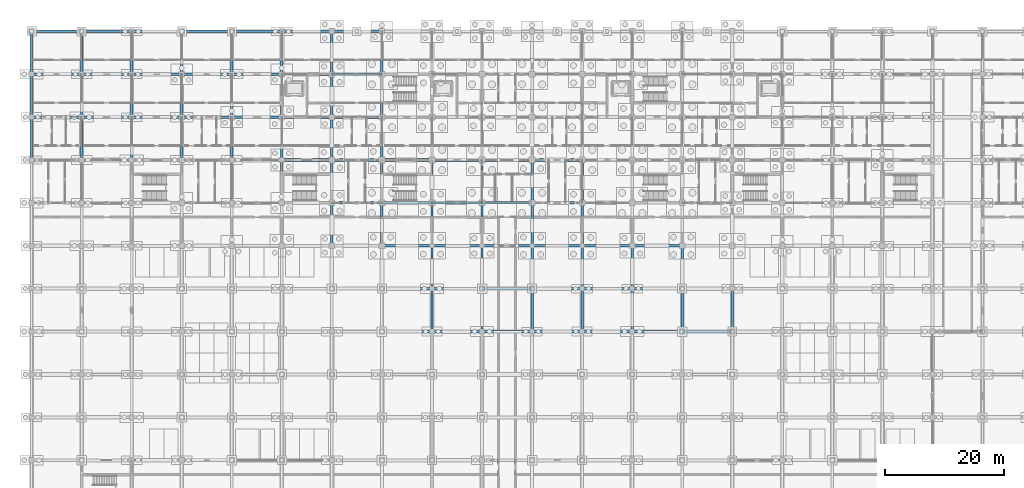
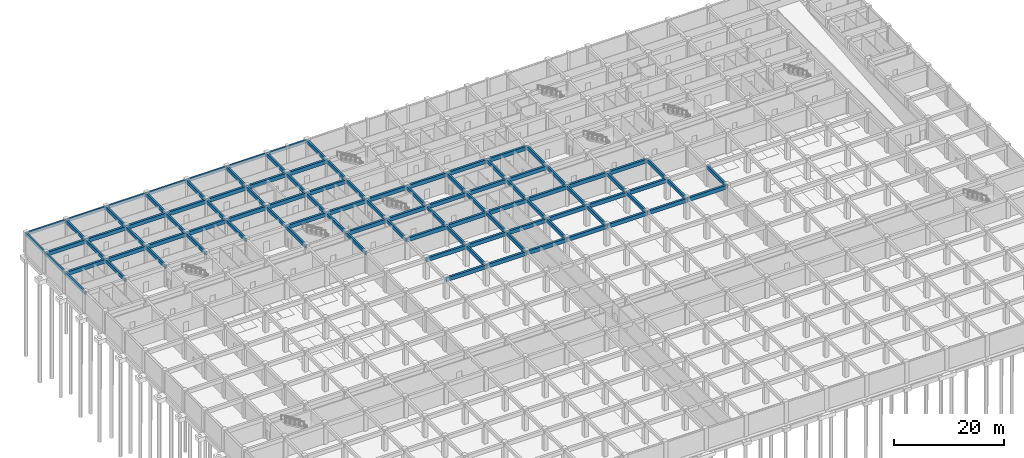
# One storey, part 22 of 85: 101 beams.
"""IFC4 building model written with IfcOpenShell, lengths in metres."""

from ifc_helpers import new_model, si_unit, direction, frame, origin, origin_2d, place, context, subcontext, project, spatial, rectangle, extrude, material, material_profile, profile_set, type_object, element, save


model = new_model("IFC4")

# Units and contexts
model_context = context("Model", 3, precision=1e-05, world=origin(), true_north=direction((0.0, 1.0)))
body_context = subcontext(model_context, "Body", "Model", "MODEL_VIEW")
ifc_project = project(units=[si_unit("LENGTHUNIT", "METRE"), si_unit("AREAUNIT", "SQUARE_METRE"), si_unit("VOLUMEUNIT", "CUBIC_METRE"), si_unit("PLANEANGLEUNIT", "RADIAN"), si_unit("MASSUNIT", "GRAM", prefix="KILO")], contexts=[model_context])

# Site, building, storey
site_placement = place(None, origin())
site = spatial("IfcSite", under=ifc_project, at=site_placement, CompositionType="ELEMENT")
building_placement = place(site_placement, origin())
building = spatial("IfcBuilding", under=site, at=building_placement, Name="Chengyuan Square Courthouse", CompositionType="ELEMENT")
storey_placement = place(building_placement, frame((0.0, 0.0, -10.199951171875)))
storey = spatial("IfcBuildingStorey", under=building, at=storey_placement, Name="B02", CompositionType="ELEMENT", Elevation=-10.199951171875)

# Beams
ifc_material = material(Name="Concrete C40", Category="concrete")
ifc_material_profile_1 = material_profile(ifc_material, rectangle(XDim=0.449951171875, YDim=0.85009765625, at=origin_2d()), Name="RC-BM-450x850")
ifc_profile_set_1 = profile_set([ifc_material_profile_1], Name="Concrete C40")
beam_type_1 = type_object("IfcBeamType", Name="BM-01", PredefinedType="USERDEFINED", material=ifc_profile_set_1)
beam_1_placement = place(storey_placement, frame((58.800048828125, 64.800048828125, 4.054931640625), z_axis=(1.0, 0.0, 0.0), x_axis=(0.0, 1.0, 0.0)))
element("IfcBeam", 1, at=beam_1_placement, inside=storey, type_object=beam_type_1, Name="Girder BM-B02-0188", ObjectType="GIRDER", PredefinedType="USERDEFINED", context=body_context, shape_type="SweptSolid", body=[
    extrude(rectangle(XDim=0.449951171875, YDim=0.85009765625, at=origin_2d()), origin(), (0.0, 0.0, 1.0), 8.39990234375),
])
beam_2_placement = place(storey_placement, frame((67.199951171875, 64.800048828125, 4.054931640625), z_axis=(1.0, 0.0, 0.0), x_axis=(0.0, 1.0, 0.0)))
element("IfcBeam", 2, at=beam_2_placement, inside=storey, type_object=beam_type_1, Name="Girder BM-B02-0189", ObjectType="GIRDER", PredefinedType="USERDEFINED", context=body_context, shape_type="SweptSolid", body=[
    extrude(rectangle(XDim=0.449951171875, YDim=0.85009765625, at=origin_2d()), origin(), (0.0, 0.0, 1.0), 8.400146484375),
])
for number, where, z_axis, x_axis, name in (
    (3, (75.60009765625, 64.800048828125, 4.054931640625), (1.0, 0.0, 0.0), (0.0, 1.0, 0.0), "Girder BM-B02-0190"),
    (4, (84.0, 64.800048828125, 4.054931640625), (1.0, 0.0, 0.0), (0.0, 1.0, 0.0), "Girder BM-B02-0191"),
):
    element("IfcBeam", number, at=place(storey_placement, frame(where, z_axis=z_axis, x_axis=x_axis)), inside=storey, type_object=beam_type_1, Name=name, ObjectType="GIRDER", PredefinedType="USERDEFINED", context=body_context, shape_type="SweptSolid", body=[
        extrude(rectangle(XDim=0.449951171875, YDim=0.85009765625, at=origin_2d()), origin(), (0.0, 0.0, 1.0), 8.39990234375),
    ])
beam_3_placement = place(storey_placement, frame((92.39990234375, 64.800048828125, 4.054931640625), z_axis=(1.0, 0.0, 0.0), x_axis=(0.0, 1.0, 0.0)))
element("IfcBeam", 5, at=beam_3_placement, inside=storey, type_object=beam_type_1, Name="Girder BM-B02-0192", ObjectType="GIRDER", PredefinedType="USERDEFINED", context=body_context, shape_type="SweptSolid", body=[
    extrude(rectangle(XDim=0.449951171875, YDim=0.85009765625, at=origin_2d()), origin(), (0.0, 0.0, 1.0), 8.400146484375),
])
beam_4_placement = place(storey_placement, frame((100.800048828125, 64.800048828125, 4.054931640625), z_axis=(1.0, 0.0, 0.0), x_axis=(0.0, 1.0, 0.0)))
element("IfcBeam", 6, at=beam_4_placement, inside=storey, type_object=beam_type_1, Name="Girder BM-B02-0193", ObjectType="GIRDER", PredefinedType="USERDEFINED", context=body_context, shape_type="SweptSolid", body=[
    extrude(rectangle(XDim=0.449951171875, YDim=0.85009765625, at=origin_2d()), origin(), (0.0, 0.0, 1.0), 8.39990234375),
])
beam_5_placement = place(storey_placement, frame((109.199951171875, 64.800048828125, 4.054931640625), z_axis=(1.0, 0.0, 0.0), x_axis=(0.0, 1.0, 0.0)))
element("IfcBeam", 7, at=beam_5_placement, inside=storey, type_object=beam_type_1, Name="Girder BM-B02-0194", ObjectType="GIRDER", PredefinedType="USERDEFINED", context=body_context, shape_type="SweptSolid", body=[
    extrude(rectangle(XDim=0.449951171875, YDim=0.85009765625, at=origin_2d()), origin(), (0.0, 0.0, 1.0), 8.400146484375),
])
beam_6_placement = place(storey_placement, frame((58.800048828125, 72.0, 4.054931640625), z_axis=(1.0, 0.0, 0.0), x_axis=(0.0, 1.0, 0.0)))
element("IfcBeam", 8, at=beam_6_placement, inside=storey, type_object=beam_type_1, Name="Girder BM-B02-0208", ObjectType="GIRDER", PredefinedType="USERDEFINED", context=body_context, shape_type="SweptSolid", body=[
    extrude(rectangle(XDim=0.449951171875, YDim=0.85009765625, at=origin_2d()), origin(), (0.0, 0.0, 1.0), 8.39990234375),
])
beam_7_placement = place(storey_placement, frame((67.199951171875, 72.0, 4.054931640625), z_axis=(1.0, 0.0, 0.0), x_axis=(0.0, 1.0, 0.0)))
element("IfcBeam", 9, at=beam_7_placement, inside=storey, type_object=beam_type_1, Name="Girder BM-B02-0209", ObjectType="GIRDER", PredefinedType="USERDEFINED", context=body_context, shape_type="SweptSolid", body=[
    extrude(rectangle(XDim=0.449951171875, YDim=0.85009765625, at=origin_2d()), origin(), (0.0, 0.0, 1.0), 8.400146484375),
])
for number, where, z_axis, x_axis, name in (
    (10, (75.60009765625, 72.0, 4.054931640625), (1.0, 0.0, 0.0), (0.0, 1.0, 0.0), "Girder BM-B02-0210"),
    (11, (84.0, 72.0, 4.054931640625), (1.0, 0.0, 0.0), (0.0, 1.0, 0.0), "Girder BM-B02-0211"),
):
    element("IfcBeam", number, at=place(storey_placement, frame(where, z_axis=z_axis, x_axis=x_axis)), inside=storey, type_object=beam_type_1, Name=name, ObjectType="GIRDER", PredefinedType="USERDEFINED", context=body_context, shape_type="SweptSolid", body=[
        extrude(rectangle(XDim=0.449951171875, YDim=0.85009765625, at=origin_2d()), origin(), (0.0, 0.0, 1.0), 8.39990234375),
    ])
beam_8_placement = place(storey_placement, frame((92.39990234375, 72.0, 4.054931640625), z_axis=(1.0, 0.0, 0.0), x_axis=(0.0, 1.0, 0.0)))
element("IfcBeam", 12, at=beam_8_placement, inside=storey, type_object=beam_type_1, Name="Girder BM-B02-0212", ObjectType="GIRDER", PredefinedType="USERDEFINED", context=body_context, shape_type="SweptSolid", body=[
    extrude(rectangle(XDim=0.449951171875, YDim=0.85009765625, at=origin_2d()), origin(), (0.0, 0.0, 1.0), 8.400146484375),
])
for number, where, z_axis, x_axis, name in (
    (13, (100.800048828125, 72.0, 4.054931640625), (1.0, 0.0, 0.0), (0.0, 1.0, 0.0), "Girder BM-B02-0213"),
    (14, (58.800048828125, 79.199951171875, 4.054931640625), (1.0, 0.0, 0.0), (0.0, 1.0, 0.0), "Girder BM-B02-0227"),
):
    element("IfcBeam", number, at=place(storey_placement, frame(where, z_axis=z_axis, x_axis=x_axis)), inside=storey, type_object=beam_type_1, Name=name, ObjectType="GIRDER", PredefinedType="USERDEFINED", context=body_context, shape_type="SweptSolid", body=[
        extrude(rectangle(XDim=0.449951171875, YDim=0.85009765625, at=origin_2d()), origin(), (0.0, 0.0, 1.0), 8.39990234375),
    ])
beam_9_placement = place(storey_placement, frame((67.199951171875, 79.199951171875, 4.054931640625), z_axis=(1.0, 0.0, 0.0), x_axis=(0.0, 1.0, 0.0)))
element("IfcBeam", 15, at=beam_9_placement, inside=storey, type_object=beam_type_1, Name="Girder BM-B02-0228", ObjectType="GIRDER", PredefinedType="USERDEFINED", context=body_context, shape_type="SweptSolid", body=[
    extrude(rectangle(XDim=0.449951171875, YDim=0.85009765625, at=origin_2d()), origin(), (0.0, 0.0, 1.0), 8.400146484375),
])
for number, where, z_axis, x_axis, name in (
    (16, (75.60009765625, 79.199951171875, 4.054931640625), (1.0, 0.0, 0.0), (0.0, 1.0, 0.0), "Girder BM-B02-0229"),
    (17, (84.0, 79.199951171875, 4.054931640625), (1.0, 0.0, 0.0), (0.0, 1.0, 0.0), "Girder BM-B02-0230"),
):
    element("IfcBeam", number, at=place(storey_placement, frame(where, z_axis=z_axis, x_axis=x_axis)), inside=storey, type_object=beam_type_1, Name=name, ObjectType="GIRDER", PredefinedType="USERDEFINED", context=body_context, shape_type="SweptSolid", body=[
        extrude(rectangle(XDim=0.449951171875, YDim=0.85009765625, at=origin_2d()), origin(), (0.0, 0.0, 1.0), 8.39990234375),
    ])
beam_10_placement = place(storey_placement, frame((92.39990234375, 79.199951171875, 4.054931640625), z_axis=(1.0, 0.0, 0.0), x_axis=(0.0, 1.0, 0.0)))
element("IfcBeam", 18, at=beam_10_placement, inside=storey, type_object=beam_type_1, Name="Girder BM-B02-0231", ObjectType="GIRDER", PredefinedType="USERDEFINED", context=body_context, shape_type="SweptSolid", body=[
    extrude(rectangle(XDim=0.449951171875, YDim=0.85009765625, at=origin_2d()), origin(), (0.0, 0.0, 1.0), 8.400146484375),
])
beam_11_placement = place(storey_placement, frame((100.800048828125, 79.199951171875, 4.054931640625), z_axis=(1.0, 0.0, 0.0), x_axis=(0.0, 1.0, 0.0)))
element("IfcBeam", 19, at=beam_11_placement, inside=storey, type_object=beam_type_1, Name="Girder BM-B02-0232", ObjectType="GIRDER", PredefinedType="USERDEFINED", context=body_context, shape_type="SweptSolid", body=[
    extrude(rectangle(XDim=0.449951171875, YDim=0.85009765625, at=origin_2d()), origin(), (0.0, 0.0, 1.0), 8.39990234375),
])
beam_12_placement = place(storey_placement, frame((50.39990234375, 86.39990234375, 4.054931640625), z_axis=(1.0, 0.0, 0.0), x_axis=(0.0, 1.0, 0.0)))
element("IfcBeam", 20, at=beam_12_placement, inside=storey, type_object=beam_type_1, Name="Girder BM-B02-0245", ObjectType="GIRDER", PredefinedType="USERDEFINED", context=body_context, shape_type="SweptSolid", body=[
    extrude(rectangle(XDim=0.449951171875, YDim=0.85009765625, at=origin_2d()), origin(), (0.0, 0.0, 1.0), 8.400146484375),
])
beam_13_placement = place(storey_placement, frame((58.800048828125, 86.39990234375, 4.054931640625), z_axis=(1.0, 0.0, 0.0), x_axis=(0.0, 1.0, 0.0)))
element("IfcBeam", 21, at=beam_13_placement, inside=storey, type_object=beam_type_1, Name="Girder BM-B02-0246", ObjectType="GIRDER", PredefinedType="USERDEFINED", context=body_context, shape_type="SweptSolid", body=[
    extrude(rectangle(XDim=0.449951171875, YDim=0.85009765625, at=origin_2d()), origin(), (0.0, 0.0, 1.0), 8.39990234375),
])
beam_14_placement = place(storey_placement, frame((67.199951171875, 86.39990234375, 4.054931640625), z_axis=(1.0, 0.0, 0.0), x_axis=(0.0, 1.0, 0.0)))
element("IfcBeam", 22, at=beam_14_placement, inside=storey, type_object=beam_type_1, Name="Girder BM-B02-0247", ObjectType="GIRDER", PredefinedType="USERDEFINED", context=body_context, shape_type="SweptSolid", body=[
    extrude(rectangle(XDim=0.449951171875, YDim=0.85009765625, at=origin_2d()), origin(), (0.0, 0.0, 1.0), 8.400146484375),
])
for number, where, z_axis, x_axis, name in (
    (23, (75.60009765625, 86.39990234375, 4.054931640625), (1.0, 0.0, 0.0), (0.0, 1.0, 0.0), "Girder BM-B02-0248"),
    (24, (84.0, 86.39990234375, 4.054931640625), (1.0, 0.0, 0.0), (0.0, 1.0, 0.0), "Girder BM-B02-0249"),
    (25, (42.0, 93.60009765625, 4.054931640625), (1.0, 0.0, 0.0), (0.0, 1.0, 0.0), "Girder BM-B02-0263"),
):
    element("IfcBeam", number, at=place(storey_placement, frame(where, z_axis=z_axis, x_axis=x_axis)), inside=storey, type_object=beam_type_1, Name=name, ObjectType="GIRDER", PredefinedType="USERDEFINED", context=body_context, shape_type="SweptSolid", body=[
        extrude(rectangle(XDim=0.449951171875, YDim=0.85009765625, at=origin_2d()), origin(), (0.0, 0.0, 1.0), 8.39990234375),
    ])
beam_15_placement = place(storey_placement, frame((50.39990234375, 93.60009765625, 4.054931640625), z_axis=(1.0, 0.0, 0.0), x_axis=(0.0, 1.0, 0.0)))
element("IfcBeam", 26, at=beam_15_placement, inside=storey, type_object=beam_type_1, Name="Girder BM-B02-0264", ObjectType="GIRDER", PredefinedType="USERDEFINED", context=body_context, shape_type="SweptSolid", body=[
    extrude(rectangle(XDim=0.449951171875, YDim=0.85009765625, at=origin_2d()), origin(), (0.0, 0.0, 1.0), 8.400146484375),
])
beam_16_placement = place(storey_placement, frame((58.800048828125, 93.60009765625, 4.054931640625), z_axis=(1.0, 0.0, 0.0), x_axis=(0.0, 1.0, 0.0)))
element("IfcBeam", 27, at=beam_16_placement, inside=storey, type_object=beam_type_1, Name="Girder BM-B02-0265", ObjectType="GIRDER", PredefinedType="USERDEFINED", context=body_context, shape_type="SweptSolid", body=[
    extrude(rectangle(XDim=0.449951171875, YDim=0.85009765625, at=origin_2d()), origin(), (0.0, 0.0, 1.0), 8.39990234375),
])
beam_17_placement = place(storey_placement, frame((67.199951171875, 93.60009765625, 4.054931640625), z_axis=(1.0, 0.0, 0.0), x_axis=(0.0, 1.0, 0.0)))
element("IfcBeam", 28, at=beam_17_placement, inside=storey, type_object=beam_type_1, Name="Girder BM-B02-0266", ObjectType="GIRDER", PredefinedType="USERDEFINED", context=body_context, shape_type="SweptSolid", body=[
    extrude(rectangle(XDim=0.449951171875, YDim=0.85009765625, at=origin_2d()), origin(), (0.0, 0.0, 1.0), 8.400146484375),
])
for number, where, z_axis, x_axis, name in (
    (29, (75.60009765625, 93.60009765625, 4.054931640625), (1.0, 0.0, 0.0), (0.0, 1.0, 0.0), "Girder BM-B02-0267"),
    (30, (84.0, 93.60009765625, 4.054931640625), (1.0, 0.0, 0.0), (0.0, 1.0, 0.0), "Girder BM-B02-0268"),
    (31, (0.0, 100.800048828125, 4.054931640625), (1.0, 0.0, 0.0), (0.0, 1.0, 0.0), "Girder BM-B02-0277"),
):
    element("IfcBeam", number, at=place(storey_placement, frame(where, z_axis=z_axis, x_axis=x_axis)), inside=storey, type_object=beam_type_1, Name=name, ObjectType="GIRDER", PredefinedType="USERDEFINED", context=body_context, shape_type="SweptSolid", body=[
        extrude(rectangle(XDim=0.449951171875, YDim=0.85009765625, at=origin_2d()), origin(), (0.0, 0.0, 1.0), 8.39990234375),
    ])
beam_18_placement = place(storey_placement, frame((8.39990234375, 100.800048828125, 4.054931640625), z_axis=(1.0, 0.0, 0.0), x_axis=(0.0, 1.0, 0.0)))
element("IfcBeam", 32, at=beam_18_placement, inside=storey, type_object=beam_type_1, Name="Girder BM-B02-0278", ObjectType="GIRDER", PredefinedType="USERDEFINED", context=body_context, shape_type="SweptSolid", body=[
    extrude(rectangle(XDim=0.449951171875, YDim=0.85009765625, at=origin_2d()), origin(), (0.0, 0.0, 1.0), 8.400146484375),
])
beam_19_placement = place(storey_placement, frame((16.800048828125, 100.800048828125, 4.054931640625), z_axis=(1.0, 0.0, 0.0), x_axis=(0.0, 1.0, 0.0)))
element("IfcBeam", 33, at=beam_19_placement, inside=storey, type_object=beam_type_1, Name="Girder BM-B02-0279", ObjectType="GIRDER", PredefinedType="USERDEFINED", context=body_context, shape_type="SweptSolid", body=[
    extrude(rectangle(XDim=0.449951171875, YDim=0.85009765625, at=origin_2d()), origin(), (0.0, 0.0, 1.0), 8.39990234375),
])
beam_20_placement = place(storey_placement, frame((25.199951171875, 100.800048828125, 4.054931640625), z_axis=(1.0, 0.0, 0.0), x_axis=(0.0, 1.0, 0.0)))
element("IfcBeam", 34, at=beam_20_placement, inside=storey, type_object=beam_type_1, Name="Girder BM-B02-0280", ObjectType="GIRDER", PredefinedType="USERDEFINED", context=body_context, shape_type="SweptSolid", body=[
    extrude(rectangle(XDim=0.449951171875, YDim=0.85009765625, at=origin_2d()), origin(), (0.0, 0.0, 1.0), 8.400146484375),
])
for number, where, z_axis, x_axis, name in (
    (35, (33.60009765625, 100.800048828125, 4.054931640625), (1.0, 0.0, 0.0), (0.0, 1.0, 0.0), "Girder BM-B02-0281"),
    (36, (42.0, 100.800048828125, 4.054931640625), (1.0, 0.0, 0.0), (0.0, 1.0, 0.0), "Girder BM-B02-0282"),
):
    element("IfcBeam", number, at=place(storey_placement, frame(where, z_axis=z_axis, x_axis=x_axis)), inside=storey, type_object=beam_type_1, Name=name, ObjectType="GIRDER", PredefinedType="USERDEFINED", context=body_context, shape_type="SweptSolid", body=[
        extrude(rectangle(XDim=0.449951171875, YDim=0.85009765625, at=origin_2d()), origin(), (0.0, 0.0, 1.0), 8.39990234375),
    ])
beam_21_placement = place(storey_placement, frame((50.39990234375, 100.800048828125, 4.054931640625), z_axis=(1.0, 0.0, 0.0), x_axis=(0.0, 1.0, 0.0)))
element("IfcBeam", 37, at=beam_21_placement, inside=storey, type_object=beam_type_1, Name="Girder BM-B02-0283", ObjectType="GIRDER", PredefinedType="USERDEFINED", context=body_context, shape_type="SweptSolid", body=[
    extrude(rectangle(XDim=0.449951171875, YDim=0.85009765625, at=origin_2d()), origin(), (0.0, 0.0, 1.0), 8.400146484375),
])
beam_22_placement = place(storey_placement, frame((0.0, 108.0, 4.054931640625), z_axis=(1.0, 0.0, 0.0), x_axis=(0.0, 1.0, 0.0)))
element("IfcBeam", 38, at=beam_22_placement, inside=storey, type_object=beam_type_1, Name="Girder BM-B02-0296", ObjectType="GIRDER", PredefinedType="USERDEFINED", context=body_context, shape_type="SweptSolid", body=[
    extrude(rectangle(XDim=0.449951171875, YDim=0.85009765625, at=origin_2d()), origin(), (0.0, 0.0, 1.0), 8.39990234375),
])
beam_23_placement = place(storey_placement, frame((8.39990234375, 108.0, 4.054931640625), z_axis=(1.0, 0.0, 0.0), x_axis=(0.0, 1.0, 0.0)))
element("IfcBeam", 39, at=beam_23_placement, inside=storey, type_object=beam_type_1, Name="Girder BM-B02-0297", ObjectType="GIRDER", PredefinedType="USERDEFINED", context=body_context, shape_type="SweptSolid", body=[
    extrude(rectangle(XDim=0.449951171875, YDim=0.85009765625, at=origin_2d()), origin(), (0.0, 0.0, 1.0), 8.400146484375),
])
beam_24_placement = place(storey_placement, frame((16.800048828125, 108.0, 4.054931640625), z_axis=(1.0, 0.0, 0.0), x_axis=(0.0, 1.0, 0.0)))
element("IfcBeam", 40, at=beam_24_placement, inside=storey, type_object=beam_type_1, Name="Girder BM-B02-0298", ObjectType="GIRDER", PredefinedType="USERDEFINED", context=body_context, shape_type="SweptSolid", body=[
    extrude(rectangle(XDim=0.449951171875, YDim=0.85009765625, at=origin_2d()), origin(), (0.0, 0.0, 1.0), 8.39990234375),
])
beam_25_placement = place(storey_placement, frame((25.199951171875, 108.0, 4.054931640625), z_axis=(1.0, 0.0, 0.0), x_axis=(0.0, 1.0, 0.0)))
element("IfcBeam", 41, at=beam_25_placement, inside=storey, type_object=beam_type_1, Name="Girder BM-B02-0299", ObjectType="GIRDER", PredefinedType="USERDEFINED", context=body_context, shape_type="SweptSolid", body=[
    extrude(rectangle(XDim=0.449951171875, YDim=0.85009765625, at=origin_2d()), origin(), (0.0, 0.0, 1.0), 8.400146484375),
])
for number, where, z_axis, x_axis, name in (
    (42, (33.60009765625, 108.0, 4.054931640625), (1.0, 0.0, 0.0), (0.0, 1.0, 0.0), "Girder BM-B02-0300"),
    (43, (42.0, 108.0, 4.054931640625), (1.0, 0.0, 0.0), (0.0, 1.0, 0.0), "Girder BM-B02-0301"),
):
    element("IfcBeam", number, at=place(storey_placement, frame(where, z_axis=z_axis, x_axis=x_axis)), inside=storey, type_object=beam_type_1, Name=name, ObjectType="GIRDER", PredefinedType="USERDEFINED", context=body_context, shape_type="SweptSolid", body=[
        extrude(rectangle(XDim=0.449951171875, YDim=0.85009765625, at=origin_2d()), origin(), (0.0, 0.0, 1.0), 8.39990234375),
    ])
beam_26_placement = place(storey_placement, frame((50.39990234375, 108.0, 4.054931640625), z_axis=(1.0, 0.0, 0.0), x_axis=(0.0, 1.0, 0.0)))
element("IfcBeam", 44, at=beam_26_placement, inside=storey, type_object=beam_type_1, Name="Girder BM-B02-0302", ObjectType="GIRDER", PredefinedType="USERDEFINED", context=body_context, shape_type="SweptSolid", body=[
    extrude(rectangle(XDim=0.449951171875, YDim=0.85009765625, at=origin_2d()), origin(), (0.0, 0.0, 1.0), 8.400146484375),
])
ifc_material_profile_2 = material_profile(ifc_material, rectangle(XDim=0.39990234375, YDim=0.75, at=origin_2d()), Name="RC-BM-400x750")
ifc_profile_set_2 = profile_set([ifc_material_profile_2], Name="Concrete C40")
beam_type_2 = type_object("IfcBeamType", Name="BM-02", PredefinedType="USERDEFINED", material=ifc_profile_set_2)
for number, where, z_axis, x_axis, name in (
    (45, (8.39990234375, 93.60009765625, 4.10498046875), (0.0, 1.0, 0.0), (-1.0, 0.0, 0.0), "Girder BM-B02-0365"),
    (46, (8.39990234375, 100.800048828125, 4.10498046875), (0.0, 1.0, 0.0), (-1.0, 0.0, 0.0), "Girder BM-B02-0366"),
    (47, (8.39990234375, 108.0, 4.10498046875), (0.0, 1.0, 0.0), (-1.0, 0.0, 0.0), "Girder BM-B02-0367"),
    (48, (16.800048828125, 93.60009765625, 4.10498046875), (0.0, 1.0, 0.0), (-1.0, 0.0, 0.0), "Girder BM-B02-0381"),
    (49, (16.800048828125, 100.800048828125, 4.10498046875), (0.0, 1.0, 0.0), (-1.0, 0.0, 0.0), "Girder BM-B02-0382"),
    (50, (16.800048828125, 108.0, 4.10498046875), (0.0, 1.0, 0.0), (-1.0, 0.0, 0.0), "Girder BM-B02-0383"),
    (51, (25.199951171875, 93.60009765625, 4.10498046875), (0.0, 1.0, 0.0), (-1.0, 0.0, 0.0), "Girder BM-B02-0397"),
    (52, (25.199951171875, 100.800048828125, 4.10498046875), (0.0, 1.0, 0.0), (-1.0, 0.0, 0.0), "Girder BM-B02-0398"),
    (53, (25.199951171875, 108.0, 4.10498046875), (0.0, 1.0, 0.0), (-1.0, 0.0, 0.0), "Girder BM-B02-0399"),
    (54, (33.60009765625, 93.60009765625, 4.10498046875), (0.0, 1.0, 0.0), (-1.0, 0.0, 0.0), "Girder BM-B02-0413"),
    (55, (33.60009765625, 100.800048828125, 4.10498046875), (0.0, 1.0, 0.0), (-1.0, 0.0, 0.0), "Girder BM-B02-0414"),
    (56, (33.60009765625, 108.0, 4.10498046875), (0.0, 1.0, 0.0), (-1.0, 0.0, 0.0), "Girder BM-B02-0415"),
):
    element("IfcBeam", number, at=place(storey_placement, frame(where, z_axis=z_axis, x_axis=x_axis)), inside=storey, type_object=beam_type_2, Name=name, ObjectType="GIRDER", PredefinedType="USERDEFINED", context=body_context, shape_type="SweptSolid", body=[
        extrude(rectangle(XDim=0.39990234375, YDim=0.75, at=origin_2d()), origin(), (0.0, 0.0, 1.0), 7.199951171875),
    ])
beam_27_placement = place(storey_placement, frame((42.0, 86.39990234375, 4.10498046875), z_axis=(0.0, 1.0, 0.0), x_axis=(-1.0, 0.0, 0.0)))
element("IfcBeam", 57, at=beam_27_placement, inside=storey, type_object=beam_type_2, Name="Girder BM-B02-0428", ObjectType="GIRDER", PredefinedType="USERDEFINED", context=body_context, shape_type="SweptSolid", body=[
    extrude(rectangle(XDim=0.39990234375, YDim=0.75, at=origin_2d()), origin(), (0.0, 0.0, 1.0), 7.2001953125),
])
for number, where, z_axis, x_axis, name in (
    (58, (42.0, 93.60009765625, 4.10498046875), (0.0, 1.0, 0.0), (-1.0, 0.0, 0.0), "Girder BM-B02-0429"),
    (59, (42.0, 100.800048828125, 4.10498046875), (0.0, 1.0, 0.0), (-1.0, 0.0, 0.0), "Girder BM-B02-0430"),
    (60, (42.0, 108.0, 4.10498046875), (0.0, 1.0, 0.0), (-1.0, 0.0, 0.0), "Girder BM-B02-0431"),
    (61, (50.39990234375, 79.199951171875, 4.10498046875), (0.0, 1.0, 0.0), (-1.0, 0.0, 0.0), "Girder BM-B02-0443"),
):
    element("IfcBeam", number, at=place(storey_placement, frame(where, z_axis=z_axis, x_axis=x_axis)), inside=storey, type_object=beam_type_2, Name=name, ObjectType="GIRDER", PredefinedType="USERDEFINED", context=body_context, shape_type="SweptSolid", body=[
        extrude(rectangle(XDim=0.39990234375, YDim=0.75, at=origin_2d()), origin(), (0.0, 0.0, 1.0), 7.199951171875),
    ])
beam_28_placement = place(storey_placement, frame((50.39990234375, 86.39990234375, 4.10498046875), z_axis=(0.0, 1.0, 0.0), x_axis=(-1.0, 0.0, 0.0)))
element("IfcBeam", 62, at=beam_28_placement, inside=storey, type_object=beam_type_2, Name="Girder BM-B02-0444", ObjectType="GIRDER", PredefinedType="USERDEFINED", context=body_context, shape_type="SweptSolid", body=[
    extrude(rectangle(XDim=0.39990234375, YDim=0.75, at=origin_2d()), origin(), (0.0, 0.0, 1.0), 7.2001953125),
])
for number, where, z_axis, x_axis, name in (
    (63, (50.39990234375, 93.60009765625, 4.10498046875), (0.0, 1.0, 0.0), (-1.0, 0.0, 0.0), "Girder BM-B02-0445"),
    (64, (50.39990234375, 100.800048828125, 4.10498046875), (0.0, 1.0, 0.0), (-1.0, 0.0, 0.0), "Girder BM-B02-0446"),
    (65, (50.39990234375, 108.0, 4.10498046875), (0.0, 1.0, 0.0), (-1.0, 0.0, 0.0), "Girder BM-B02-0447"),
    (66, (58.800048828125, 79.199951171875, 4.10498046875), (0.0, 1.0, 0.0), (-1.0, 0.0, 0.0), "Girder BM-B02-0459"),
):
    element("IfcBeam", number, at=place(storey_placement, frame(where, z_axis=z_axis, x_axis=x_axis)), inside=storey, type_object=beam_type_2, Name=name, ObjectType="GIRDER", PredefinedType="USERDEFINED", context=body_context, shape_type="SweptSolid", body=[
        extrude(rectangle(XDim=0.39990234375, YDim=0.75, at=origin_2d()), origin(), (0.0, 0.0, 1.0), 7.199951171875),
    ])
beam_29_placement = place(storey_placement, frame((58.800048828125, 86.39990234375, 4.10498046875), z_axis=(0.0, 1.0, 0.0), x_axis=(-1.0, 0.0, 0.0)))
element("IfcBeam", 67, at=beam_29_placement, inside=storey, type_object=beam_type_2, Name="Girder BM-B02-0460", ObjectType="GIRDER", PredefinedType="USERDEFINED", context=body_context, shape_type="SweptSolid", body=[
    extrude(rectangle(XDim=0.39990234375, YDim=0.75, at=origin_2d()), origin(), (0.0, 0.0, 1.0), 7.2001953125),
])
for number, where, z_axis, x_axis, name in (
    (68, (58.800048828125, 93.60009765625, 4.10498046875), (0.0, 1.0, 0.0), (-1.0, 0.0, 0.0), "Girder BM-B02-0461"),
    (69, (58.800048828125, 100.800048828125, 4.10498046875), (0.0, 1.0, 0.0), (-1.0, 0.0, 0.0), "Girder BM-B02-0462"),
    (70, (58.800048828125, 108.0, 4.10498046875), (0.0, 1.0, 0.0), (-1.0, 0.0, 0.0), "Girder BM-B02-0463"),
    (71, (67.199951171875, 64.800048828125, 4.10498046875), (0.0, 1.0, 0.0), (-1.0, 0.0, 0.0), "Girder BM-B02-0473"),
    (72, (67.199951171875, 72.0, 4.10498046875), (0.0, 1.0, 0.0), (-1.0, 0.0, 0.0), "Girder BM-B02-0474"),
    (73, (67.199951171875, 79.199951171875, 4.10498046875), (0.0, 1.0, 0.0), (-1.0, 0.0, 0.0), "Girder BM-B02-0475"),
):
    element("IfcBeam", number, at=place(storey_placement, frame(where, z_axis=z_axis, x_axis=x_axis)), inside=storey, type_object=beam_type_2, Name=name, ObjectType="GIRDER", PredefinedType="USERDEFINED", context=body_context, shape_type="SweptSolid", body=[
        extrude(rectangle(XDim=0.39990234375, YDim=0.75, at=origin_2d()), origin(), (0.0, 0.0, 1.0), 7.199951171875),
    ])
beam_30_placement = place(storey_placement, frame((67.199951171875, 86.39990234375, 4.10498046875), z_axis=(0.0, 1.0, 0.0), x_axis=(-1.0, 0.0, 0.0)))
element("IfcBeam", 74, at=beam_30_placement, inside=storey, type_object=beam_type_2, Name="Girder BM-B02-0476", ObjectType="GIRDER", PredefinedType="USERDEFINED", context=body_context, shape_type="SweptSolid", body=[
    extrude(rectangle(XDim=0.39990234375, YDim=0.75, at=origin_2d()), origin(), (0.0, 0.0, 1.0), 7.2001953125),
])
for number, where, z_axis, x_axis, name in (
    (75, (75.60009765625, 64.800048828125, 4.10498046875), (0.0, 1.0, 0.0), (-1.0, 0.0, 0.0), "Girder BM-B02-0489"),
    (76, (75.60009765625, 72.0, 4.10498046875), (0.0, 1.0, 0.0), (-1.0, 0.0, 0.0), "Girder BM-B02-0490"),
    (77, (75.60009765625, 79.199951171875, 4.10498046875), (0.0, 1.0, 0.0), (-1.0, 0.0, 0.0), "Girder BM-B02-0491"),
):
    element("IfcBeam", number, at=place(storey_placement, frame(where, z_axis=z_axis, x_axis=x_axis)), inside=storey, type_object=beam_type_2, Name=name, ObjectType="GIRDER", PredefinedType="USERDEFINED", context=body_context, shape_type="SweptSolid", body=[
        extrude(rectangle(XDim=0.39990234375, YDim=0.75, at=origin_2d()), origin(), (0.0, 0.0, 1.0), 7.199951171875),
    ])
beam_31_placement = place(storey_placement, frame((75.60009765625, 86.39990234375, 4.10498046875), z_axis=(0.0, 1.0, 0.0), x_axis=(-1.0, 0.0, 0.0)))
element("IfcBeam", 78, at=beam_31_placement, inside=storey, type_object=beam_type_2, Name="Girder BM-B02-0492", ObjectType="GIRDER", PredefinedType="USERDEFINED", context=body_context, shape_type="SweptSolid", body=[
    extrude(rectangle(XDim=0.39990234375, YDim=0.75, at=origin_2d()), origin(), (0.0, 0.0, 1.0), 7.2001953125),
])
for number, where, z_axis, x_axis, name in (
    (79, (84.0, 64.800048828125, 4.10498046875), (0.0, 1.0, 0.0), (-1.0, 0.0, 0.0), "Girder BM-B02-0505"),
    (80, (84.0, 72.0, 4.10498046875), (0.0, 1.0, 0.0), (-1.0, 0.0, 0.0), "Girder BM-B02-0506"),
    (81, (84.0, 79.199951171875, 4.10498046875), (0.0, 1.0, 0.0), (-1.0, 0.0, 0.0), "Girder BM-B02-0507"),
):
    element("IfcBeam", number, at=place(storey_placement, frame(where, z_axis=z_axis, x_axis=x_axis)), inside=storey, type_object=beam_type_2, Name=name, ObjectType="GIRDER", PredefinedType="USERDEFINED", context=body_context, shape_type="SweptSolid", body=[
        extrude(rectangle(XDim=0.39990234375, YDim=0.75, at=origin_2d()), origin(), (0.0, 0.0, 1.0), 7.199951171875),
    ])
beam_32_placement = place(storey_placement, frame((84.0, 86.39990234375, 4.10498046875), z_axis=(0.0, 1.0, 0.0), x_axis=(-1.0, 0.0, 0.0)))
element("IfcBeam", 82, at=beam_32_placement, inside=storey, type_object=beam_type_2, Name="Girder BM-B02-0508", ObjectType="GIRDER", PredefinedType="USERDEFINED", context=body_context, shape_type="SweptSolid", body=[
    extrude(rectangle(XDim=0.39990234375, YDim=0.75, at=origin_2d()), origin(), (0.0, 0.0, 1.0), 7.2001953125),
])
for number, where, z_axis, x_axis, name in (
    (83, (92.39990234375, 64.800048828125, 4.10498046875), (0.0, 1.0, 0.0), (-1.0, 0.0, 0.0), "Girder BM-B02-0521"),
    (84, (92.39990234375, 72.0, 4.10498046875), (0.0, 1.0, 0.0), (-1.0, 0.0, 0.0), "Girder BM-B02-0522"),
    (85, (92.39990234375, 79.199951171875, 4.10498046875), (0.0, 1.0, 0.0), (-1.0, 0.0, 0.0), "Girder BM-B02-0523"),
):
    element("IfcBeam", number, at=place(storey_placement, frame(where, z_axis=z_axis, x_axis=x_axis)), inside=storey, type_object=beam_type_2, Name=name, ObjectType="GIRDER", PredefinedType="USERDEFINED", context=body_context, shape_type="SweptSolid", body=[
        extrude(rectangle(XDim=0.39990234375, YDim=0.75, at=origin_2d()), origin(), (0.0, 0.0, 1.0), 7.199951171875),
    ])
beam_33_placement = place(storey_placement, frame((92.39990234375, 86.39990234375, 4.10498046875), z_axis=(0.0, 1.0, 0.0), x_axis=(-1.0, 0.0, 0.0)))
element("IfcBeam", 86, at=beam_33_placement, inside=storey, type_object=beam_type_2, Name="Girder BM-B02-0524", ObjectType="GIRDER", PredefinedType="USERDEFINED", context=body_context, shape_type="SweptSolid", body=[
    extrude(rectangle(XDim=0.39990234375, YDim=0.75, at=origin_2d()), origin(), (0.0, 0.0, 1.0), 7.2001953125),
])
for number, where, z_axis, x_axis, name in (
    (87, (100.800048828125, 64.800048828125, 4.10498046875), (0.0, 1.0, 0.0), (-1.0, 0.0, 0.0), "Girder BM-B02-0537"),
    (88, (100.800048828125, 72.0, 4.10498046875), (0.0, 1.0, 0.0), (-1.0, 0.0, 0.0), "Girder BM-B02-0538"),
    (89, (109.199951171875, 64.800048828125, 4.10498046875), (0.0, 1.0, 0.0), (-1.0, 0.0, 0.0), "Girder BM-B02-0553"),
    (90, (109.199951171875, 72.0, 4.10498046875), (0.0, 1.0, 0.0), (-1.0, 0.0, 0.0), "Girder BM-B02-0554"),
    (91, (117.60009765625, 64.800048828125, 4.10498046875), (0.0, 1.0, 0.0), (-1.0, 0.0, 0.0), "Girder BM-B02-0569"),
):
    element("IfcBeam", number, at=place(storey_placement, frame(where, z_axis=z_axis, x_axis=x_axis)), inside=storey, type_object=beam_type_2, Name=name, ObjectType="GIRDER", PredefinedType="USERDEFINED", context=body_context, shape_type="SweptSolid", body=[
        extrude(rectangle(XDim=0.39990234375, YDim=0.75, at=origin_2d()), origin(), (0.0, 0.0, 1.0), 7.199951171875),
    ])
ifc_material_profile_3 = material_profile(ifc_material, rectangle(XDim=0.35009765625, YDim=0.64990234375, at=origin_2d()), Name="RC-BM-350x650")
ifc_profile_set_3 = profile_set([ifc_material_profile_3], Name="Concrete C40")
beam_type_3 = type_object("IfcBeamType", Name="BM-03", PredefinedType="SPANDREL", material=ifc_profile_set_3)
beam_34_placement = place(storey_placement, frame((0.0, 115.199951171875, 4.155029296875), z_axis=(1.0, 0.0, 0.0), x_axis=(0.0, 1.0, 0.0)))
element("IfcBeam", 92, at=beam_34_placement, inside=storey, type_object=beam_type_3, Name="Girder BM-B02-0316", PredefinedType="SPANDREL", context=body_context, shape_type="SweptSolid", body=[
    extrude(rectangle(XDim=0.35009765625, YDim=0.64990234375, at=origin_2d()), origin(), (0.0, 0.0, 1.0), 8.39990234375),
])
beam_35_placement = place(storey_placement, frame((8.39990234375, 115.199951171875, 4.155029296875), z_axis=(1.0, 0.0, 0.0), x_axis=(0.0, 1.0, 0.0)))
element("IfcBeam", 93, at=beam_35_placement, inside=storey, type_object=beam_type_3, Name="Girder BM-B02-0317", PredefinedType="SPANDREL", context=body_context, shape_type="SweptSolid", body=[
    extrude(rectangle(XDim=0.35009765625, YDim=0.64990234375, at=origin_2d()), origin(), (0.0, 0.0, 1.0), 8.400146484375),
])
beam_36_placement = place(storey_placement, frame((16.800048828125, 115.199951171875, 4.155029296875), z_axis=(1.0, 0.0, 0.0), x_axis=(0.0, 1.0, 0.0)))
element("IfcBeam", 94, at=beam_36_placement, inside=storey, type_object=beam_type_3, Name="Girder BM-B02-0318", PredefinedType="SPANDREL", context=body_context, shape_type="SweptSolid", body=[
    extrude(rectangle(XDim=0.35009765625, YDim=0.64990234375, at=origin_2d()), origin(), (0.0, 0.0, 1.0), 8.39990234375),
])
beam_37_placement = place(storey_placement, frame((25.199951171875, 115.199951171875, 4.155029296875), z_axis=(1.0, 0.0, 0.0), x_axis=(0.0, 1.0, 0.0)))
element("IfcBeam", 95, at=beam_37_placement, inside=storey, type_object=beam_type_3, Name="Girder BM-B02-0319", PredefinedType="SPANDREL", context=body_context, shape_type="SweptSolid", body=[
    extrude(rectangle(XDim=0.35009765625, YDim=0.64990234375, at=origin_2d()), origin(), (0.0, 0.0, 1.0), 8.400146484375),
])
for number, where, z_axis, x_axis, name in (
    (96, (33.60009765625, 115.199951171875, 4.155029296875), (1.0, 0.0, 0.0), (0.0, 1.0, 0.0), "Girder BM-B02-0320"),
    (97, (42.0, 115.199951171875, 4.155029296875), (1.0, 0.0, 0.0), (0.0, 1.0, 0.0), "Girder BM-B02-0321"),
):
    element("IfcBeam", number, at=place(storey_placement, frame(where, z_axis=z_axis, x_axis=x_axis)), inside=storey, type_object=beam_type_3, Name=name, PredefinedType="SPANDREL", context=body_context, shape_type="SweptSolid", body=[
        extrude(rectangle(XDim=0.35009765625, YDim=0.64990234375, at=origin_2d()), origin(), (0.0, 0.0, 1.0), 8.39990234375),
    ])
beam_38_placement = place(storey_placement, frame((50.39990234375, 115.199951171875, 4.155029296875), z_axis=(1.0, 0.0, 0.0), x_axis=(0.0, 1.0, 0.0)))
element("IfcBeam", 98, at=beam_38_placement, inside=storey, type_object=beam_type_3, Name="Girder BM-B02-0322", PredefinedType="SPANDREL", context=body_context, shape_type="SweptSolid", body=[
    extrude(rectangle(XDim=0.35009765625, YDim=0.64990234375, at=origin_2d()), origin(), (0.0, 0.0, 1.0), 8.400146484375),
])
for number, where, z_axis, x_axis, name in (
    (99, (0.0, 93.60009765625, 4.155029296875), (0.0, 1.0, 0.0), (-1.0, 0.0, 0.0), "Girder BM-B02-0349"),
    (100, (0.0, 100.800048828125, 4.155029296875), (0.0, 1.0, 0.0), (-1.0, 0.0, 0.0), "Girder BM-B02-0350"),
    (101, (0.0, 108.0, 4.155029296875), (0.0, 1.0, 0.0), (-1.0, 0.0, 0.0), "Girder BM-B02-0351"),
):
    element("IfcBeam", number, at=place(storey_placement, frame(where, z_axis=z_axis, x_axis=x_axis)), inside=storey, type_object=beam_type_3, Name=name, PredefinedType="SPANDREL", context=body_context, shape_type="SweptSolid", body=[
        extrude(rectangle(XDim=0.35009765625, YDim=0.64990234375, at=origin_2d()), origin(), (0.0, 0.0, 1.0), 7.199951171875),
    ])

save(model, "model.ifc")
